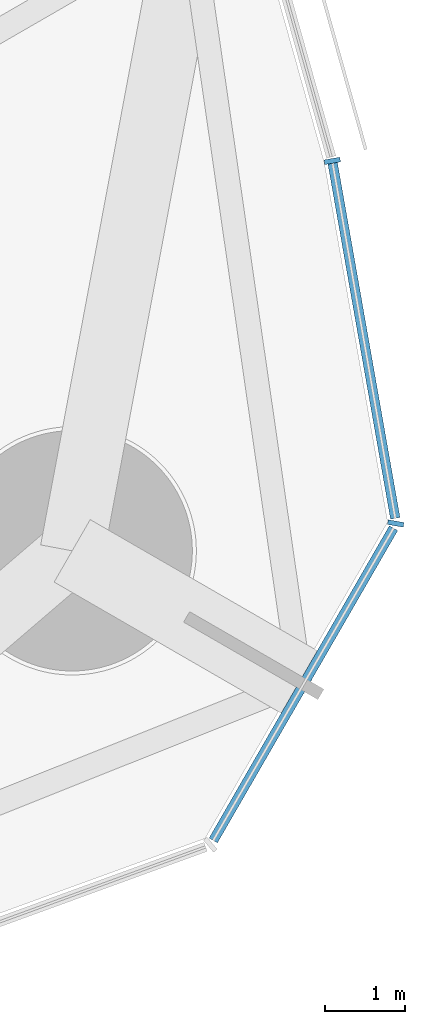
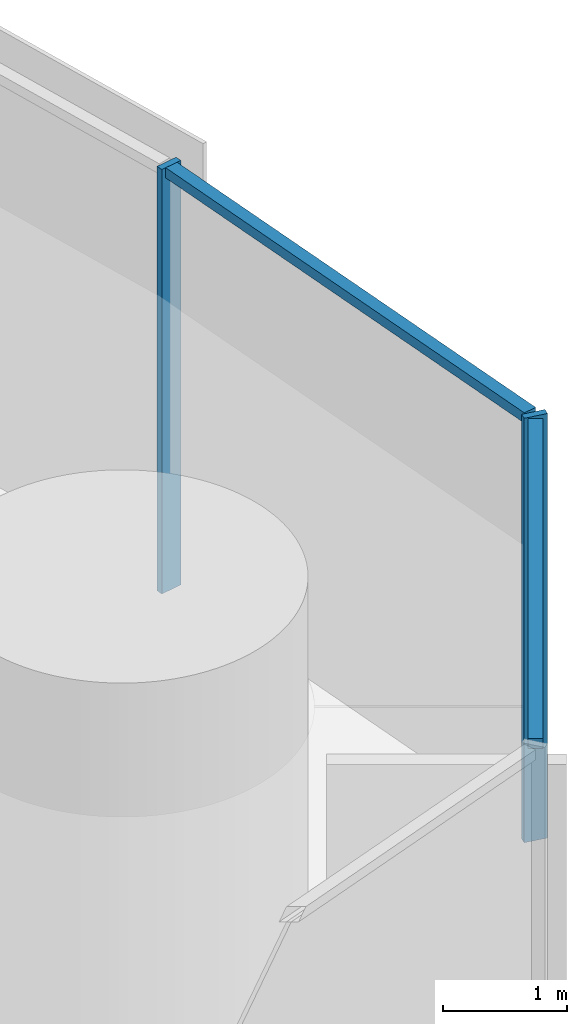
# One storey, part 9 of 19: 4 members, 1 element without a shape of its own.
"""IFC4 building model written with IfcOpenShell, lengths in metres."""

from ifc_helpers import new_model, si_unit, direction, frame, origin, origin_2d, place, context, subcontext, project, spatial, rectangle, extrude, material, material_profile, profile_set, type_object, element, aggregate, save


model = new_model("IFC4")

# Units and contexts
model_context = context("Model", 3, precision=1e-05, world=origin(), true_north=direction((0.0, 1.0)))
body_context = subcontext(model_context, "Body", "Model", "MODEL_VIEW")
ifc_project = project(units=[si_unit("LENGTHUNIT", "METRE"), si_unit("AREAUNIT", "SQUARE_METRE"), si_unit("VOLUMEUNIT", "CUBIC_METRE"), si_unit("PLANEANGLEUNIT", "RADIAN"), si_unit("MASSUNIT", "GRAM", prefix="KILO")], contexts=[model_context])

# Site, building, storey
site_placement = place(None, origin())
site = spatial("IfcSite", under=ifc_project, at=site_placement, CompositionType="ELEMENT")
building_placement = place(site_placement, origin())
building = spatial("IfcBuilding", under=site, at=building_placement, Name="Trefoil Bronze Tower", CompositionType="ELEMENT")
storey_placement = place(building_placement, frame((0.0, 0.0, 244.300048828125)))
storey = spatial("IfcBuildingStorey", under=building, at=storey_placement, Name="L56", CompositionType="ELEMENT", Elevation=244.300048828125)

# Curtain wall, members
ifc_material_1 = material(Name="Tinted solar-control glass", Category="glass")
curtain_wall_type = type_object("IfcCurtainWallType", Name="Bronze rounded corner curtain wall", PredefinedType="USERDEFINED", material=ifc_material_1)
curtain_wall_placement = place(storey_placement, origin())
curtain_wall = element("IfcCurtainWall", 1, at=curtain_wall_placement, inside=storey, type_object=curtain_wall_type, Name="CW-B L56 K1", ObjectType="CURTAIN WALL", PredefinedType="USERDEFINED")
ifc_material_2 = material(Name="Bronze-finish aluminium", Category="aluminium")
ifc_material_profile_1 = material_profile(ifc_material_2, rectangle(XDim=0.199951171875, YDim=0.06005859375, at=origin_2d()), Name="CW-B mullion")
ifc_profile_set_1 = profile_set([ifc_material_profile_1], Name="Bronze-finish aluminium")
member_type_1 = type_object("IfcMemberType", Name="Bronze rounded corner curtain wall mullion", PredefinedType="MULLION", material=ifc_profile_set_1)
member_1_placement = place(storey_placement, frame((32.616943359375, -16.158935546875, 0.0), z_axis=(0.0, 0.0, 1.0), x_axis=(-0.984807753012, 0.173648177667, 0.0)))
member_1 = element("IfcMember", 2, at=member_1_placement, type_object=member_type_1, Name="CW-B L56 K1 mullion 3", PredefinedType="MULLION", context=body_context, shape_type="SweptSolid", body=[
    extrude(rectangle(XDim=0.199951171875, YDim=0.06005859375, at=origin_2d()), origin(), (0.0, 0.0, 1.0), 4.179931640625),
])
member_2_placement = place(storey_placement, frame((31.824951171875, -11.63330078125, 0.0), z_axis=(0.0, 0.0, 1.0), x_axis=(-0.984807753012, -0.173648177667, 0.0)))
member_2 = element("IfcMember", 3, at=member_2_placement, type_object=member_type_1, Name="CW-B L56 K1 mullion 4", PredefinedType="MULLION", context=body_context, shape_type="SweptSolid", body=[
    extrude(rectangle(XDim=0.199951171875, YDim=0.06005859375, at=origin_2d()), origin(), (0.0, 0.0, 1.0), 4.179931640625),
])
ifc_material_3 = material(Name="Bronze-finish aluminium", Category="aluminium")
ifc_material_profile_2 = material_profile(ifc_material_3, rectangle(XDim=0.1201171875, YDim=0.10009765625, at=origin_2d()), Name="CW-B transom")
ifc_profile_set_2 = profile_set([ifc_material_profile_2], Name="Bronze-finish aluminium")
member_type_2 = type_object("IfcMemberType", Name="Bronze rounded corner curtain wall transom", PredefinedType="USERDEFINED", material=ifc_profile_set_2)
member_3_placement = place(storey_placement, frame((30.33984375, -20.114990234375, 4.1298828125), z_axis=(0.500007335828, 0.866021168401, 0.0), x_axis=(-0.866021168401, 0.500007335828, 0.0)))
member_3 = element("IfcMember", 4, at=member_3_placement, type_object=member_type_2, Name="CW-B L56 K1 transom 2", ObjectType="TRANSOM", PredefinedType="USERDEFINED", context=body_context, shape_type="SweptSolid", body=[
    extrude(rectangle(XDim=0.1201171875, YDim=0.10009765625, at=origin_2d()), origin(), (0.0, 0.0, 1.0), 4.50048828125),
])
member_4_placement = place(storey_placement, frame((32.611572265625, -16.0947265625, 4.1298828125), z_axis=(-0.173655350028, 0.984806488304, 0.0), x_axis=(-0.984806488304, -0.173655350028, 0.0)))
member_4 = element("IfcMember", 5, at=member_4_placement, type_object=member_type_2, Name="CW-B L56 K1 transom 3", ObjectType="TRANSOM", PredefinedType="USERDEFINED", context=body_context, shape_type="SweptSolid", body=[
    extrude(rectangle(XDim=0.1201171875, YDim=0.10009765625, at=origin_2d()), origin(), (0.0, 0.0, 1.0), 4.500244140625),
])
aggregate(curtain_wall, [member_1, member_2, member_3, member_4])

save(model, "model.ifc")
